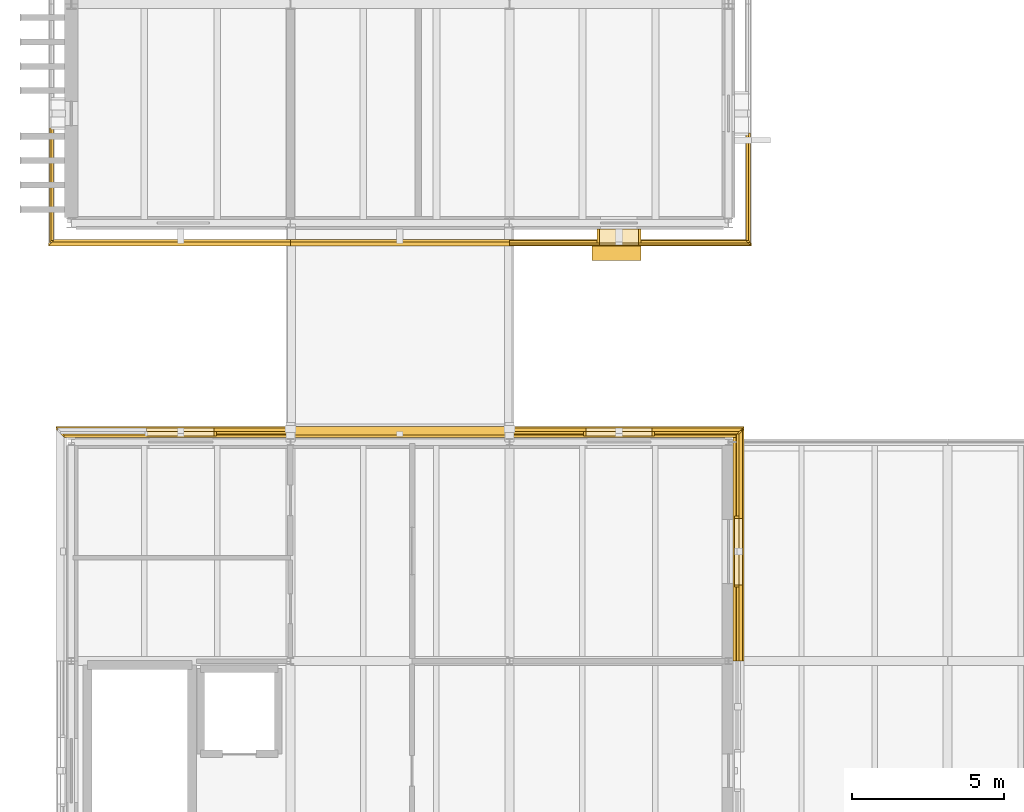
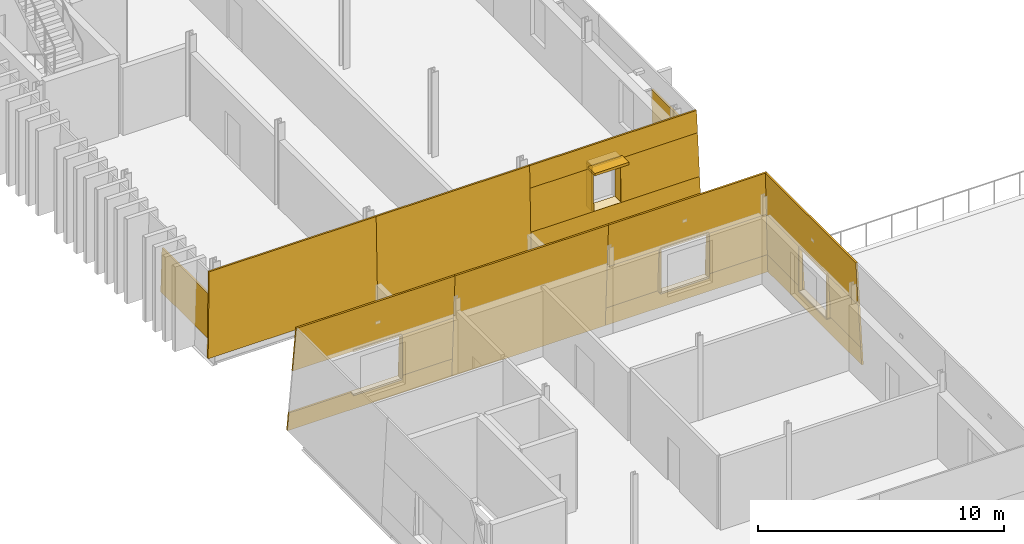
# One storey, part 92 of 115: 35 coverings, 1 shading device.
"""IFC4 building model written with IfcOpenShell, lengths in metres."""

from ifc_helpers import new_model, si_unit, direction, frame, origin, origin_2d, place, context, subcontext, project, spatial, polyline, rectangle, outline, extrude, material, layer, layer_set, type_object, element, save


model = new_model("IFC4")

# Units and contexts
model_context = context("Model", 3, precision=1e-05, world=origin(), true_north=direction((0.0, 1.0)))
body_context = subcontext(model_context, "Body", "Model", "MODEL_VIEW")
ifc_project = project(units=[si_unit("LENGTHUNIT", "METRE"), si_unit("AREAUNIT", "SQUARE_METRE"), si_unit("VOLUMEUNIT", "CUBIC_METRE"), si_unit("PLANEANGLEUNIT", "RADIAN"), si_unit("MASSUNIT", "GRAM", prefix="KILO")], contexts=[model_context])

# Site, building, storey
site_placement = place(None, origin())
site = spatial("IfcSite", under=ifc_project, at=site_placement, CompositionType="ELEMENT")
building_placement = place(site_placement, origin())
building = spatial("IfcBuilding", under=site, at=building_placement, Name="Narikvali Park Central Library", CompositionType="ELEMENT")
storey_placement = place(building_placement, frame((0.0, 0.0, 10.199951171875)))
storey = spatial("IfcBuildingStorey", under=building, at=storey_placement, Name="L02", CompositionType="ELEMENT", Elevation=10.199951171875)

# Coverings
ifc_material_1 = material(Name="White Honed Limestone Cladding", Category="masonry")
ifc_layer_1 = layer(ifc_material_1, 0.0849609375, Name="White Honed Limestone Cladding")
ifc_layer_set_1 = layer_set([ifc_layer_1], Name="White Honed Limestone Cladding")
covering_type_1 = type_object("IfcCoveringType", Name="Battered White Limestone Facade Cladding Panel", PredefinedType="CLADDING", material=ifc_layer_set_1)
covering_1_placement = place(storey_placement, frame((22.1083984375, 14.39990234375, 0.0), z_axis=(0.998646856064, 0.0, 0.05200439283), x_axis=(0.0, 1.0, 0.0)))
element("IfcCovering", 1, at=covering_1_placement, inside=storey, type_object=covering_type_1, Name="V2 L02 E Battered Limestone Spandrel B03", PredefinedType="CLADDING", context=body_context, shape_type="SweptSolid", body=[
    extrude(outline(polyline([(0.0, 0.0), (7.62353515625, 0.0), (7.57666015625, 0.9013661625320046), (0.0, 0.9013661625320046), (0.0, 0.0)])), origin(), (0.0, 0.0, -1.0), 0.0849609375),
])
covering_2_placement = place(storey_placement, frame((21.9521484375, 14.39990234375, 3.0), z_axis=(0.998644636632, 0.0, 0.052046995369), x_axis=(0.0, 1.0, 0.0)))
element("IfcCovering", 2, at=covering_2_placement, inside=storey, type_object=covering_type_1, Name="V2 L02 E Battered Limestone Lintel B03", PredefinedType="CLADDING", context=body_context, shape_type="SweptSolid", body=[
    extrude(outline(polyline([(0.0, 0.0), (7.46728515625, 0.0), (7.35498046875, 2.153064669357634), (0.0, 2.153064669357634), (0.0, 0.0)])), origin(), (0.0, 0.0, -1.0), 0.0849609375),
])
covering_3_placement = place(storey_placement, frame((22.0615234375, 14.39990234375, 0.900146484375), z_axis=(0.998646227972, 0.0, 0.052016452753), x_axis=(0.0, 1.0, 0.0)))
element("IfcCovering", 3, at=covering_3_placement, inside=storey, type_object=covering_type_1, Name="V2 L02 E Battered Limestone Jamb Pier L B03", PredefinedType="CLADDING", context=body_context, shape_type="SweptSolid", body=[
    extrude(outline(polyline([(0.0, 0.0), (2.510009765625, 0.0), (2.510009765625, 2.102700092192815), (0.0, 2.102700092192815), (0.0, 0.0)])), origin(), (0.0, 0.0, -1.0), 0.0849609375),
])
covering_4_placement = place(storey_placement, frame((22.0615234375, 19.090087890625, 0.900146484375), z_axis=(0.998646227972, 0.0, 0.052016452753), x_axis=(0.0, 1.0, 0.0)))
element("IfcCovering", 4, at=covering_4_placement, inside=storey, type_object=covering_type_1, Name="V2 L02 E Battered Limestone Jamb Pier R B03", PredefinedType="CLADDING", context=body_context, shape_type="SweptSolid", body=[
    extrude(outline(polyline([(0.0, 0.0), (2.886474609375, 0.0), (2.777099609375, 2.102700092192815), (0.0, 2.102700092192815), (0.0, 0.0)])), origin(), (0.0, 0.0, -1.0), 0.0849609375),
])
covering_5_placement = place(storey_placement, frame((22.1083984375, 22.1083984375, 0.0), z_axis=(0.0, 0.998646856064, 0.05200439283), x_axis=(-1.0, 0.0, 0.0)))
element("IfcCovering", 5, at=covering_5_placement, inside=storey, type_object=covering_type_1, Name="V2 L02 N Battered Limestone Spandrel B01", PredefinedType="CLADDING", context=body_context, shape_type="SweptSolid", body=[
    extrude(outline(polyline([(0.0, 0.0), (7.70849609375, 0.0), (7.70849609375, 0.9013661625320046), (0.046875, 0.9013661625320046), (0.0, 0.0)])), origin(), (0.0, 0.0, -1.0), 0.0849609375),
])
covering_6_placement = place(storey_placement, frame((21.9521484375, 21.9521484375, 3.0), z_axis=(0.0, 0.998644636632, 0.052046995369), x_axis=(-1.0, 0.0, 0.0)))
element("IfcCovering", 6, at=covering_6_placement, inside=storey, type_object=covering_type_1, Name="V2 L02 N Battered Limestone Lintel B01", PredefinedType="CLADDING", context=body_context, shape_type="SweptSolid", body=[
    extrude(outline(polyline([(0.0, 0.0), (7.55224609375, 0.0), (7.55224609375, 2.1530646693576334), (0.112060546875, 2.1530646693576334), (0.0, 0.0)])), origin(), (0.0, 0.0, -1.0), 0.0849609375),
])
covering_7_placement = place(storey_placement, frame((22.0615234375, 22.0615234375, 0.900146484375), z_axis=(0.0, 0.998646227972, 0.052016452753), x_axis=(-1.0, 0.0, 0.0)))
element("IfcCovering", 7, at=covering_7_placement, inside=storey, type_object=covering_type_1, Name="V2 L02 N Battered Limestone Jamb Pier L B01", PredefinedType="CLADDING", context=body_context, shape_type="SweptSolid", body=[
    extrude(outline(polyline([(0.0, 0.0), (2.971435546875, 0.0), (2.971435546875, 2.102700092192815), (0.109375, 2.102700092192815), (0.0, 0.0)])), origin(), (0.0, 0.0, -1.0), 0.0849609375),
])
covering_8_placement = place(storey_placement, frame((16.909912109375, 22.0615234375, 0.900146484375), z_axis=(0.0, 0.998646227972, 0.052016452753), x_axis=(-1.0, 0.0, 0.0)))
element("IfcCovering", 8, at=covering_8_placement, inside=storey, type_object=covering_type_1, Name="V2 L02 N Battered Limestone Jamb Pier R B01", PredefinedType="CLADDING", context=body_context, shape_type="SweptSolid", body=[
    extrude(outline(polyline([(0.0, 0.0), (2.510009765625, 0.0), (2.510009765625, 2.102700092192815), (0.0, 2.102700092192815), (0.0, 0.0)])), origin(), (0.0, 0.0, -1.0), 0.0849609375),
])
covering_9_placement = place(storey_placement, frame((14.39990234375, 22.1083984375, 0.0), z_axis=(0.0, 0.998645673528, 0.052027096241), x_axis=(-1.0, 0.0, 0.0)))
element("IfcCovering", 9, at=covering_9_placement, inside=storey, type_object=covering_type_1, Name="V2 L02 N Battered Limestone Panel B02", PredefinedType="CLADDING", context=body_context, shape_type="SweptSolid", body=[
    extrude(outline(polyline([(0.0, 0.0), (7.199951171875, 0.0), (7.199951171875, 5.157130923302659), (0.0, 5.157130923302659), (0.0, 0.0)])), origin(), (0.0, 0.0, -1.0), 0.0849609375),
])
covering_10_placement = place(storey_placement, frame((7.199951171875, 22.1083984375, 0.0), z_axis=(0.0, 0.998646856064, 0.05200439283), x_axis=(-1.0, 0.0, 0.0)))
element("IfcCovering", 10, at=covering_10_placement, inside=storey, type_object=covering_type_1, Name="V2 L02 N Battered Limestone Spandrel B03", PredefinedType="CLADDING", context=body_context, shape_type="SweptSolid", body=[
    extrude(outline(polyline([(0.0, 0.0), (7.708251953125, 0.0), (7.661376953125, 0.9013661625320046), (0.0, 0.9013661625320046), (0.0, 0.0)])), origin(), (0.0, 0.0, -1.0), 0.0849609375),
])
covering_11_placement = place(storey_placement, frame((7.199951171875, 21.9521484375, 3.0), z_axis=(0.0, 0.998644636632, 0.052046995369), x_axis=(-1.0, 0.0, 0.0)))
element("IfcCovering", 11, at=covering_11_placement, inside=storey, type_object=covering_type_1, Name="V2 L02 N Battered Limestone Lintel B03", PredefinedType="CLADDING", context=body_context, shape_type="SweptSolid", body=[
    extrude(outline(polyline([(0.0, 0.0), (7.552001953125, 0.0), (7.43994140625, 2.1530646693576334), (0.0, 2.1530646693576334), (0.0, 0.0)])), origin(), (0.0, 0.0, -1.0), 0.0849609375),
])
covering_12_placement = place(storey_placement, frame((7.199951171875, 22.0615234375, 0.900146484375), z_axis=(0.0, 0.998646227972, 0.052016452753), x_axis=(-1.0, 0.0, 0.0)))
element("IfcCovering", 12, at=covering_12_placement, inside=storey, type_object=covering_type_1, Name="V2 L02 N Battered Limestone Jamb Pier L B03", PredefinedType="CLADDING", context=body_context, shape_type="SweptSolid", body=[
    extrude(outline(polyline([(0.0, 0.0), (2.510009765625, 0.0), (2.510009765625, 2.102700092192815), (0.0, 2.102700092192815), (0.0, 0.0)])), origin(), (0.0, 0.0, -1.0), 0.0849609375),
])
covering_13_placement = place(storey_placement, frame((-0.75048828125, 28.04931640625, 0.0), z_axis=(0.0, -0.999597895197, 0.0283557387), x_axis=(1.0, 0.0, 0.0)))
element("IfcCovering", 13, at=covering_13_placement, inside=storey, type_object=covering_type_1, Name="V5 L02 S Battered Limestone Panel B01", PredefinedType="CLADDING", context=body_context, shape_type="SweptSolid", body=[
    extrude(outline(polyline([(0.0, 0.0), (7.950439453125, 0.0), (7.950439453125, 4.201640671768539), (0.118896484375, 4.201640671768539), (0.0, 0.0)])), origin(), (0.0, 0.0, -1.0), 0.0849609375),
])
covering_14_placement = place(storey_placement, frame((7.199951171875, 28.04931640625, 0.0), z_axis=(0.0, -0.999597895197, 0.0283557387), x_axis=(1.0, 0.0, 0.0)))
element("IfcCovering", 14, at=covering_14_placement, inside=storey, type_object=covering_type_1, Name="V5 L02 S Battered Limestone Panel B02", PredefinedType="CLADDING", context=body_context, shape_type="SweptSolid", body=[
    extrude(outline(polyline([(0.0, 0.0), (7.199951171875, 0.0), (7.199951171875, 4.201640671768538), (0.0, 4.201640671768538), (0.0, 0.0)])), origin(), (0.0, 0.0, -1.0), 0.0849609375),
])
covering_15_placement = place(storey_placement, frame((14.39990234375, 28.04931640625, 0.0), z_axis=(0.0, -0.999593342746, 0.028515769994), x_axis=(1.0, 0.0, 0.0)))
element("IfcCovering", 15, at=covering_15_placement, inside=storey, type_object=covering_type_1, Name="V5 L02 S Battered Limestone Spandrel B03", PredefinedType="CLADDING", context=body_context, shape_type="SweptSolid", body=[
    extrude(outline(polyline([(0.0, 0.0), (7.95068359375, 0.0), (7.923828125, 0.9503376335676513), (0.0, 0.9503376335676513), (0.0, 0.0)])), origin(), (0.0, 0.0, -1.0), 0.0849609375),
])
covering_16_placement = place(storey_placement, frame((14.39990234375, 28.13720703125, 3.10009765625), z_axis=(0.0, -0.999596598509, 0.028401412788), x_axis=(1.0, 0.0, 0.0)))
element("IfcCovering", 16, at=covering_16_placement, inside=storey, type_object=covering_type_1, Name="V5 L02 S Battered Limestone Lintel B03", PredefinedType="CLADDING", context=body_context, shape_type="SweptSolid", body=[
    extrude(outline(polyline([(0.0, 0.0), (7.86279296875, 0.0), (7.83154296875, 1.1002973772270257), (0.0, 1.1002973772270257), (0.0, 0.0)])), origin(), (0.0, 0.0, -1.0), 0.0849609375),
])
covering_17_placement = place(storey_placement, frame((14.39990234375, 28.076416015625, 0.949951171875), z_axis=(0.0, -0.999600559191, 0.028261671311), x_axis=(1.0, 0.0, 0.0)))
element("IfcCovering", 17, at=covering_17_placement, inside=storey, type_object=covering_type_1, Name="V5 L02 S Battered Limestone Jamb Pier L B03", PredefinedType="CLADDING", context=body_context, shape_type="SweptSolid", body=[
    extrude(outline(polyline([(0.0, 0.0), (2.960205078125, 0.0), (2.960205078125, 2.1510056838257987), (0.0, 2.1510056838257987), (0.0, 0.0)])), origin(), (0.0, 0.0, -1.0), 0.0849609375),
])
covering_18_placement = place(storey_placement, frame((18.639892578125, 28.076416015625, 0.949951171875), z_axis=(0.0, -0.999600559191, 0.028261671311), x_axis=(1.0, 0.0, 0.0)))
element("IfcCovering", 18, at=covering_18_placement, inside=storey, type_object=covering_type_1, Name="V5 L02 S Battered Limestone Jamb Pier R B03", PredefinedType="CLADDING", context=body_context, shape_type="SweptSolid", body=[
    extrude(outline(polyline([(0.0, 0.0), (3.683837890625, 0.0), (3.622802734375, 2.1510056838257987), (0.0, 2.1510056838257987), (0.0, 0.0)])), origin(), (0.0, 0.0, -1.0), 0.0849609375),
])
covering_19_placement = place(storey_placement, frame((22.32373046875, 28.161376953125, 0.949951171875), z_axis=(0.99959734633, 0.0, 0.028375080797), x_axis=(0.0, 1.0, 0.0)))
element("IfcCovering", 19, at=covering_19_placement, inside=storey, type_object=covering_type_1, Name="V5 L02 E Battered Limestone Jamb Pier L B01", PredefinedType="CLADDING", context=body_context, shape_type="SweptSolid", body=[
    extrude(outline(polyline([(0.0, 0.0), (3.5986328125, 0.0), (3.5986328125, 2.1510125974918495), (0.06103515625, 2.1510125974918495), (0.0, 0.0)])), origin(), (0.0, 0.0, -1.0), 0.0849609375),
])
covering_20_placement = place(storey_placement, frame((-0.7236328125, 31.9599609375, 0.949951171875), z_axis=(-0.99959734633, 0.0, 0.028375080797), x_axis=(0.0, -1.0, 0.0)))
element("IfcCovering", 20, at=covering_20_placement, inside=storey, type_object=covering_type_1, Name="V5 L02 W Battered Limestone Jamb Pier R B11", PredefinedType="CLADDING", context=body_context, shape_type="SweptSolid", body=[
    extrude(outline(polyline([(0.0, 0.0), (3.798583984375, 0.0), (3.737548828125, 2.1510125974918495), (0.0, 2.1510125974918495), (0.0, 0.0)])), origin(), (0.0, 0.0, -1.0), 0.0849609375),
])

# Shading device
ifc_material_2 = material(Name="Anodised Bronze Aluminium", Category="aluminium")
ifc_layer_2 = layer(ifc_material_2, 0.1201171875, Name="Anodised Bronze Aluminium")
ifc_layer_set_2 = layer_set([ifc_layer_2], Name="Anodised Bronze Aluminium")
shading_device_type = type_object("IfcShadingDeviceType", Name="Bronze Classical Cornice Sun Brise-Soleil 650", PredefinedType="SHUTTER", material=ifc_layer_set_2)
shading_device_placement = place(storey_placement, frame((17.92041015625, 27.897216796875, 3.10009765625), z_axis=(0.0, 0.0, 1.0), x_axis=(1.0, 0.0, 0.0)))
element("IfcShadingDevice", 21, at=shading_device_placement, inside=storey, type_object=shading_device_type, Name="V5 L02 Classical Bronze Brise-Soleil 03", PredefinedType="SHUTTER", context=body_context, shape_type="SweptSolid", body=[
    extrude(rectangle(XDim=1.60009765625, YDim=0.64990234375, at=origin_2d()), origin(), (0.0, 0.0, 1.0), 0.1201171875),
])

# Coverings
ifc_layer_3 = layer(ifc_material_1, 0.080078125, Name="White Honed Limestone Cladding")
ifc_layer_set_3 = layer_set([ifc_layer_3], Name="White Honed Limestone Cladding")
covering_type_2 = type_object("IfcCoveringType", Name="Deep Carved White Limestone Window Reveal", PredefinedType="CLADDING", material=ifc_layer_set_3)
covering_21_placement = place(storey_placement, frame((0.0, 0.0, 3.0)))
element("IfcCovering", 22, at=covering_21_placement, inside=storey, type_object=covering_type_2, Name="Deep Stone Reveal Head V2-RVL-L02-E-B03", PredefinedType="CLADDING", context=body_context, shape_type="SweptSolid", body=[
    extrude(outline(polyline([(21.804931640625, 16.8701171875), (21.804931640625, 19.1298828125), (21.9521484375, 19.1298828125), (21.9521484375, 16.8701171875), (21.804931640625, 16.8701171875)])), origin(), (0.0, 0.0, 1.0), 0.080078125),
])
covering_22_placement = place(storey_placement, frame((0.0, 0.0, 0.820068359375)))
element("IfcCovering", 23, at=covering_22_placement, inside=storey, type_object=covering_type_2, Name="Deep Stone Reveal Sill V2-RVL-L02-E-B03", PredefinedType="CLADDING", context=body_context, shape_type="SweptSolid", body=[
    extrude(outline(polyline([(21.804931640625, 16.8701171875), (21.804931640625, 19.1298828125), (22.0615234375, 19.1298828125), (22.0615234375, 16.8701171875), (21.804931640625, 16.8701171875)])), origin(), (0.0, 0.0, 1.0), 0.080078125),
])
covering_23_placement = place(storey_placement, frame((0.0, 0.0, 0.900146484375)))
element("IfcCovering", 24, at=covering_23_placement, inside=storey, type_object=covering_type_2, Name="Deep Stone Reveal Jamb L V2-RVL-L02-E-B03", PredefinedType="CLADDING", context=body_context, shape_type="SweptSolid", body=[
    extrude(outline(polyline([(21.804931640625, 16.830078125), (21.804931640625, 16.909912109375), (21.9521484375, 16.909912109375), (21.9521484375, 16.830078125), (21.804931640625, 16.830078125)])), origin(), (0.0, 0.0, 1.0), 2.099853515625),
])
covering_24_placement = place(storey_placement, frame((0.0, 0.0, 0.900146484375)))
element("IfcCovering", 25, at=covering_24_placement, inside=storey, type_object=covering_type_2, Name="Deep Stone Reveal Jamb R V2-RVL-L02-E-B03", PredefinedType="CLADDING", context=body_context, shape_type="SweptSolid", body=[
    extrude(outline(polyline([(21.804931640625, 19.090087890625), (21.804931640625, 19.169921875), (21.9521484375, 19.169921875), (21.9521484375, 19.090087890625), (21.804931640625, 19.090087890625)])), origin(), (0.0, 0.0, 1.0), 2.099853515625),
])
covering_25_placement = place(storey_placement, frame((0.0, 0.0, 3.0)))
element("IfcCovering", 26, at=covering_25_placement, inside=storey, type_object=covering_type_2, Name="Deep Stone Reveal Head V2-RVL-L02-N-B01", PredefinedType="CLADDING", context=body_context, shape_type="SweptSolid", body=[
    extrude(outline(polyline([(19.1298828125, 21.804931640625), (16.8701171875, 21.804931640625), (16.8701171875, 21.9521484375), (19.1298828125, 21.9521484375), (19.1298828125, 21.804931640625)])), origin(), (0.0, 0.0, 1.0), 0.080078125),
])
covering_26_placement = place(storey_placement, frame((0.0, 0.0, 0.820068359375)))
element("IfcCovering", 27, at=covering_26_placement, inside=storey, type_object=covering_type_2, Name="Deep Stone Reveal Sill V2-RVL-L02-N-B01", PredefinedType="CLADDING", context=body_context, shape_type="SweptSolid", body=[
    extrude(outline(polyline([(19.1298828125, 21.804931640625), (16.8701171875, 21.804931640625), (16.8701171875, 22.0615234375), (19.1298828125, 22.0615234375), (19.1298828125, 21.804931640625)])), origin(), (0.0, 0.0, 1.0), 0.080078125),
])
covering_27_placement = place(storey_placement, frame((0.0, 0.0, 0.900146484375)))
element("IfcCovering", 28, at=covering_27_placement, inside=storey, type_object=covering_type_2, Name="Deep Stone Reveal Jamb L V2-RVL-L02-N-B01", PredefinedType="CLADDING", context=body_context, shape_type="SweptSolid", body=[
    extrude(outline(polyline([(19.169921875, 21.804931640625), (19.090087890625, 21.804931640625), (19.090087890625, 21.9521484375), (19.169921875, 21.9521484375), (19.169921875, 21.804931640625)])), origin(), (0.0, 0.0, 1.0), 2.099853515625),
])
covering_28_placement = place(storey_placement, frame((0.0, 0.0, 0.900146484375)))
element("IfcCovering", 29, at=covering_28_placement, inside=storey, type_object=covering_type_2, Name="Deep Stone Reveal Jamb R V2-RVL-L02-N-B01", PredefinedType="CLADDING", context=body_context, shape_type="SweptSolid", body=[
    extrude(outline(polyline([(16.909912109375, 21.804931640625), (16.830078125, 21.804931640625), (16.830078125, 21.9521484375), (16.909912109375, 21.9521484375), (16.909912109375, 21.804931640625)])), origin(), (0.0, 0.0, 1.0), 2.099853515625),
])
covering_29_placement = place(storey_placement, frame((0.0, 0.0, 3.0)))
element("IfcCovering", 30, at=covering_29_placement, inside=storey, type_object=covering_type_2, Name="Deep Stone Reveal Head V2-RVL-L02-N-B03", PredefinedType="CLADDING", context=body_context, shape_type="SweptSolid", body=[
    extrude(outline(polyline([(4.72998046875, 21.804931640625), (2.469970703125, 21.804931640625), (2.469970703125, 21.9521484375), (4.72998046875, 21.9521484375), (4.72998046875, 21.804931640625)])), origin(), (0.0, 0.0, 1.0), 0.080078125),
])
covering_30_placement = place(storey_placement, frame((0.0, 0.0, 0.820068359375)))
element("IfcCovering", 31, at=covering_30_placement, inside=storey, type_object=covering_type_2, Name="Deep Stone Reveal Sill V2-RVL-L02-N-B03", PredefinedType="CLADDING", context=body_context, shape_type="SweptSolid", body=[
    extrude(outline(polyline([(4.72998046875, 21.804931640625), (2.469970703125, 21.804931640625), (2.469970703125, 22.0615234375), (4.72998046875, 22.0615234375), (4.72998046875, 21.804931640625)])), origin(), (0.0, 0.0, 1.0), 0.080078125),
])
covering_31_placement = place(storey_placement, frame((0.0, 0.0, 0.900146484375)))
element("IfcCovering", 32, at=covering_31_placement, inside=storey, type_object=covering_type_2, Name="Deep Stone Reveal Jamb L V2-RVL-L02-N-B03", PredefinedType="CLADDING", context=body_context, shape_type="SweptSolid", body=[
    extrude(outline(polyline([(4.77001953125, 21.804931640625), (4.68994140625, 21.804931640625), (4.68994140625, 21.9521484375), (4.77001953125, 21.9521484375), (4.77001953125, 21.804931640625)])), origin(), (0.0, 0.0, 1.0), 2.099853515625),
])
covering_32_placement = place(storey_placement, frame((0.0, 0.0, 3.10009765625)))
element("IfcCovering", 33, at=covering_32_placement, inside=storey, type_object=covering_type_2, Name="Deep Stone Reveal Head V5-RVL-L02-S-B03", PredefinedType="CLADDING", context=body_context, shape_type="SweptSolid", body=[
    extrude(outline(polyline([(17.320068359375, 28.594970703125), (18.679931640625, 28.594970703125), (18.679931640625, 28.13720703125), (17.320068359375, 28.13720703125), (17.320068359375, 28.594970703125)])), origin(), (0.0, 0.0, 1.0), 0.079833984375),
])
covering_33_placement = place(storey_placement, frame((0.0, 0.0, 0.8701171875)))
element("IfcCovering", 34, at=covering_33_placement, inside=storey, type_object=covering_type_2, Name="Deep Stone Reveal Sill V5-RVL-L02-S-B03", PredefinedType="CLADDING", context=body_context, shape_type="SweptSolid", body=[
    extrude(outline(polyline([(17.320068359375, 28.594970703125), (18.679931640625, 28.594970703125), (18.679931640625, 28.076416015625), (17.320068359375, 28.076416015625), (17.320068359375, 28.594970703125)])), origin(), (0.0, 0.0, 1.0), 0.079833984375),
])
covering_34_placement = place(storey_placement, frame((0.0, 0.0, 0.949951171875)))
element("IfcCovering", 35, at=covering_34_placement, inside=storey, type_object=covering_type_2, Name="Deep Stone Reveal Jamb L V5-RVL-L02-S-B03", PredefinedType="CLADDING", context=body_context, shape_type="SweptSolid", body=[
    extrude(outline(polyline([(17.280029296875, 28.594970703125), (17.360107421875, 28.594970703125), (17.360107421875, 28.13720703125), (17.280029296875, 28.13720703125), (17.280029296875, 28.594970703125)])), origin(), (0.0, 0.0, 1.0), 2.150146484375),
])
covering_35_placement = place(storey_placement, frame((0.0, 0.0, 0.949951171875)))
element("IfcCovering", 36, at=covering_35_placement, inside=storey, type_object=covering_type_2, Name="Deep Stone Reveal Jamb R V5-RVL-L02-S-B03", PredefinedType="CLADDING", context=body_context, shape_type="SweptSolid", body=[
    extrude(outline(polyline([(18.639892578125, 28.594970703125), (18.719970703125, 28.594970703125), (18.719970703125, 28.13720703125), (18.639892578125, 28.13720703125), (18.639892578125, 28.594970703125)])), origin(), (0.0, 0.0, 1.0), 2.150146484375),
])

save(model, "model.ifc")
